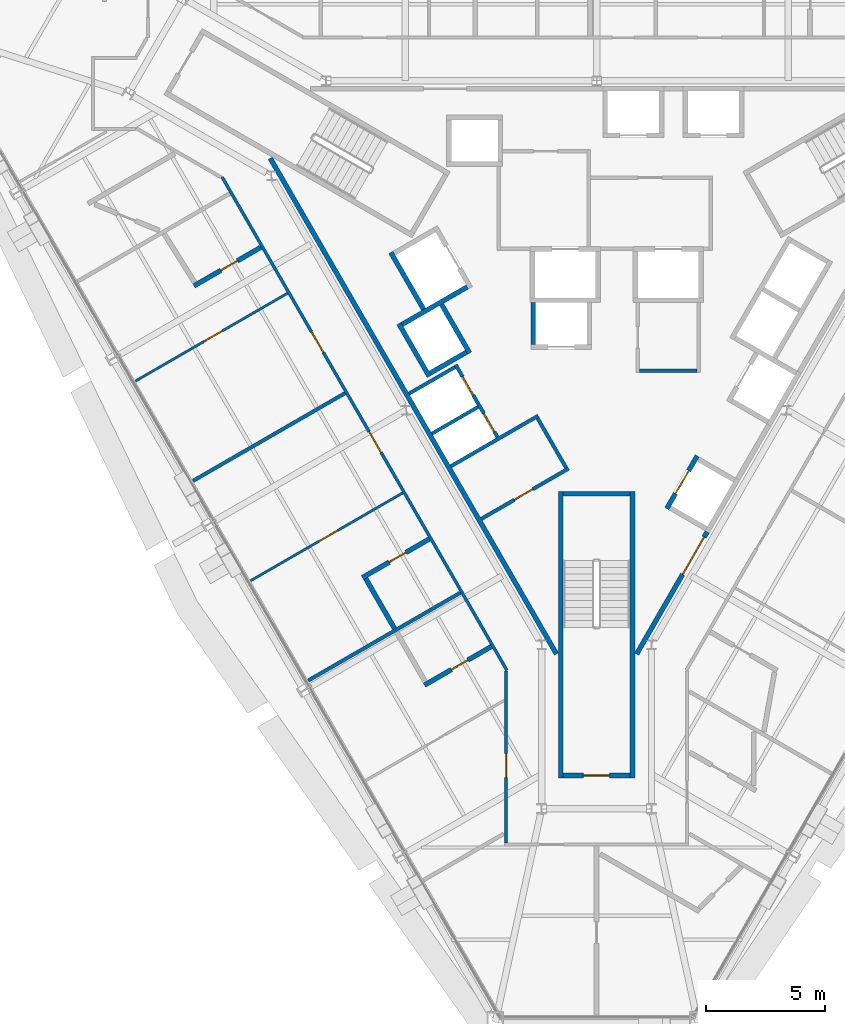
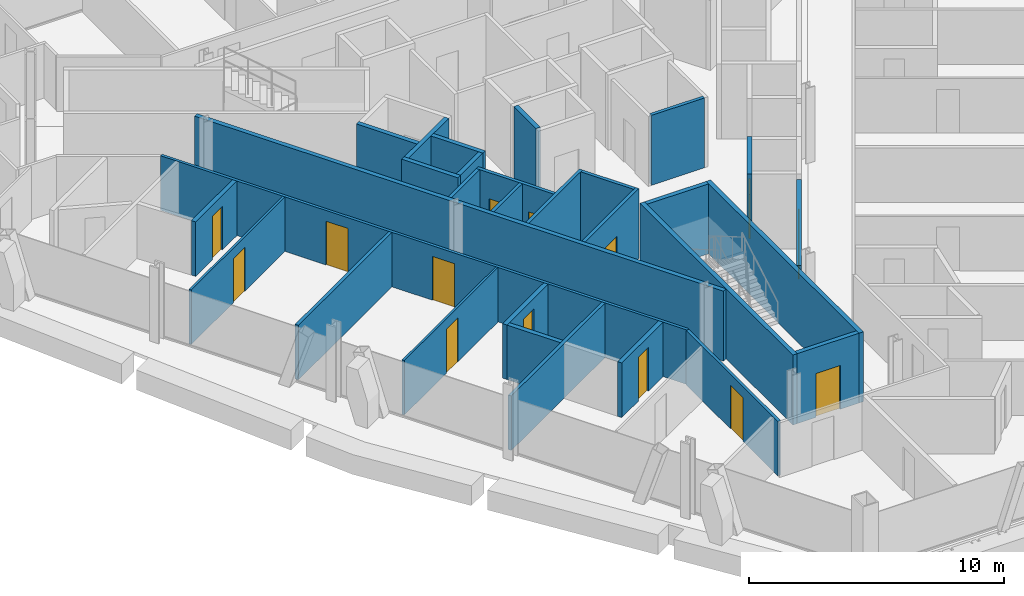
# One storey, part 10 of 16: 30 walls, 14 doors, 14 openings.
"""IFC4 building model written with IfcOpenShell, lengths in metres."""

from ifc_helpers import new_model, si_unit, direction, frame, frame_2d, origin, place, context, subcontext, project, spatial, rectangle, extrude, material, layer, layer_set, type_object, element, fill, save


model = new_model("IFC4")

# Units and contexts
model_context = context("Model", 3, precision=1e-05, world=origin(), true_north=direction((0.0, 1.0)))
body_context = subcontext(model_context, "Body", "Model", "MODEL_VIEW")
ifc_project = project(units=[si_unit("LENGTHUNIT", "METRE"), si_unit("AREAUNIT", "SQUARE_METRE"), si_unit("VOLUMEUNIT", "CUBIC_METRE"), si_unit("PLANEANGLEUNIT", "RADIAN"), si_unit("MASSUNIT", "GRAM", prefix="KILO")], contexts=[model_context])

# Site, building, storey
site_placement = place(None, origin())
site = spatial("IfcSite", under=ifc_project, at=site_placement, CompositionType="ELEMENT")
building_placement = place(site_placement, origin())
building = spatial("IfcBuilding", under=site, at=building_placement, Name="Verrane Prism Tower", CompositionType="ELEMENT")
storey_placement = place(building_placement, frame((0.0, 0.0, 110.800048828125)))
storey = spatial("IfcBuildingStorey", under=building, at=storey_placement, Name="L26", CompositionType="ELEMENT", Elevation=110.800048828125)

# Wall
ifc_material_1 = material(Name="Gypsum board partition", Category="other")
ifc_layer_1 = layer(ifc_material_1, 0.199951171875)
ifc_layer_set_1 = layer_set([ifc_layer_1], Name="CW-200 core boundary wall 2 h")
wall_type_1 = type_object("IfcWallType", Name="CW-200 core boundary wall 2 h", PredefinedType="PARTITIONING", material=ifc_layer_set_1)
wall_1_placement = place(storey_placement, frame((-13.66357421875, 5.946044921875, 0.0), z_axis=(0.0, 0.0, 1.0), x_axis=(0.499994327219, -0.866028678941, 0.0)))
element("IfcWall", 1, at=wall_1_placement, inside=storey, type_object=wall_type_1, Name="Core boundary wall CW3-001", PredefinedType="PARTITIONING", context=body_context, shape_type="SweptSolid", body=[
    extrude(rectangle(XDim=23.967529296875, YDim=0.199951171875, at=frame_2d((11.98388671875, 0.0))), origin(), (0.0, 0.0, 1.0), 3.349853515625),
])

# Wall, opening, door
wall_2_placement = place(storey_placement, frame((1.677490234375, -14.814697265625, 0.0), z_axis=(0.0, 0.0, 1.0), x_axis=(0.49999445743, 0.866028603765, 0.0)))
wall_2 = element("IfcWall", 2, at=wall_2_placement, inside=storey, type_object=wall_type_1, Name="Core boundary wall CW3-003", PredefinedType="PARTITIONING", context=body_context, shape_type="SweptSolid", body=[
    extrude(rectangle(XDim=5.90478515625, YDim=0.199951171875, at=frame_2d((2.952392578125, 0.0))), origin(), (0.0, 0.0, 1.0), 3.349853515625),
])
opening_1_placement = place(wall_2_placement, frame((3.85498046875, 0.0, 0.0)))
opening_1 = element("IfcOpeningElement", 3, at=opening_1_placement, cuts=wall_2, Name="Opening D24517", PredefinedType="OPENING", context=body_context, shape_type="SweptSolid", body=[
    extrude(rectangle(XDim=1.800048828125, YDim=2.10009765625, at=frame_2d((0.89990234375, 1.050048828125))), frame((0.0, 0.10986328125, 0.0), z_axis=(0.0, -1.0, 0.0), x_axis=(1.0, 0.0, 0.0)), (0.0, 0.0, 1.0), 0.219970703125),
])
ifc_material_2 = material(Name="Timber veneered door leaf", Category="wood")
door_type_1 = type_object("IfcDoorType", Name="DR-1800x2100 FD60 double leaf lift lobby", OperationType="NOTDEFINED", PredefinedType="DOOR", material=ifc_material_2)
door_1_placement = place(opening_1_placement, origin())
door_1 = element("IfcDoor", 4, at=door_1_placement, inside=storey, type_object=door_type_1, Name="Lift lobby door D24517", OperationType="DOUBLE_DOOR_SINGLE_SWING", OverallHeight=2.10009765625, OverallWidth=1.800048828125, PredefinedType="DOOR", context=body_context, shape_type="SweptSolid", body=[
    extrude(rectangle(XDim=1.800048828125, YDim=2.10009765625, at=frame_2d((0.89990234375, 1.050048828125))), frame((0.0, 0.02490234375, 0.0), z_axis=(0.0, -1.0, 0.0), x_axis=(1.0, 0.0, 0.0)), (0.0, 0.0, 1.0), 0.050048828125),
])
fill(opening_1, door_1)

ifc_material_3 = material(Name="Concrete C40/50", Category="concrete")
ifc_layer_2 = layer(ifc_material_3, 0.199951171875)
ifc_layer_set_2 = layer_set([ifc_layer_2], Name="CW-200 stair core wall concrete C40/50 3 h")
wall_type_2 = type_object("IfcWallType", Name="CW-200 stair core wall concrete C40/50 3 h", PredefinedType="PARTITIONING", material=ifc_layer_set_2)
wall_3_placement = place(storey_placement, frame((-1.39990234375, -19.89990234375, 0.0), z_axis=(0.0, 0.0, 1.0), x_axis=(1.0, 0.0, 0.0)))
wall_3 = element("IfcWall", 5, at=wall_3_placement, inside=storey, type_object=wall_type_2, Name="Stair 3 enclosure wall", PredefinedType="PARTITIONING", context=body_context, shape_type="SweptSolid", body=[
    extrude(rectangle(XDim=2.7998046875, YDim=0.199951171875, at=frame_2d((1.39990234375, 0.0))), origin(), (0.0, 0.0, 1.0), 3.349853515625),
])
opening_2_placement = place(wall_3_placement, frame((0.85009765625, 0.0, 0.0)))
opening_2 = element("IfcOpeningElement", 6, at=opening_2_placement, cuts=wall_3, Name="Opening D24502", PredefinedType="OPENING", context=body_context, shape_type="SweptSolid", body=[
    extrude(rectangle(XDim=1.10009765625, YDim=2.10009765625, at=frame_2d((0.550048828125, 1.050048828125))), frame((0.0, 0.10986328125, 0.0), z_axis=(0.0, -1.0, 0.0), x_axis=(1.0, 0.0, 0.0)), (0.0, 0.0, 1.0), 0.219970703125),
])
ifc_material_4 = material(Name="Timber veneered door leaf", Category="wood")
door_type_2 = type_object("IfcDoorType", Name="DR-1100x2100 FD90 single leaf stair", OperationType="NOTDEFINED", PredefinedType="DOOR", material=ifc_material_4)
door_2_placement = place(opening_2_placement, origin())
door_2 = element("IfcDoor", 7, at=door_2_placement, inside=storey, type_object=door_type_2, Name="Stair 3 door", OperationType="SINGLE_SWING_LEFT", OverallHeight=2.10009765625, OverallWidth=1.10009765625, PredefinedType="DOOR", context=body_context, shape_type="SweptSolid", body=[
    extrude(rectangle(XDim=1.10009765625, YDim=2.10009765625, at=frame_2d((0.550048828125, 1.050048828125))), frame((0.0, 0.02490234375, 0.0), z_axis=(0.0, -1.0, 0.0), x_axis=(1.0, 0.0, 0.0)), (0.0, 0.0, 1.0), 0.050048828125),
])
fill(opening_2, door_2)

# Walls
for number, where, z_axis, x_axis, name in (
    (8, (1.5, -8.0, 0.0), (0.0, 0.0, 1.0), (0.0, -1.0, 0.0), "Stair 3 enclosure wall"),
    (9, (-1.5, -8.0, 0.0), (0.0, 0.0, 1.0), (0.0, -1.0, 0.0), "Stair 3 enclosure wall"),
):
    element("IfcWall", number, at=place(storey_placement, frame(where, z_axis=z_axis, x_axis=x_axis)), inside=storey, type_object=wall_type_2, Name=name, PredefinedType="PARTITIONING", context=body_context, shape_type="SweptSolid", body=[
        extrude(rectangle(XDim=12.0, YDim=0.199951171875, at=frame_2d((6.0, 0.0))), origin(), (0.0, 0.0, 1.0), 3.349853515625),
    ])
wall_4_placement = place(storey_placement, frame((-1.39990234375, -8.10009765625, 0.0), z_axis=(0.0, 0.0, 1.0), x_axis=(1.0, 0.0, 0.0)))
element("IfcWall", 10, at=wall_4_placement, inside=storey, type_object=wall_type_2, Name="Stair 3 enclosure wall", PredefinedType="PARTITIONING", context=body_context, shape_type="SweptSolid", body=[
    extrude(rectangle(XDim=2.7998046875, YDim=0.199951171875, at=frame_2d((1.39990234375, 0.0))), origin(), (0.0, 0.0, 1.0), 3.349853515625),
])
ifc_material_5 = material(Name="Gypsum board shaft wall assembly", Category="other")
ifc_layer_3 = layer(ifc_material_5, 0.199951171875)
ifc_layer_set_3 = layer_set([ifc_layer_3], Name="HW-200 lift shaft wall 2 h")
wall_type_3 = type_object("IfcWallType", Name="HW-200 lift shaft wall 2 h", PredefinedType="PARTITIONING", material=ifc_layer_set_3)
wall_5_placement = place(storey_placement, frame((-6.9697265625, -3.048095703125, 0.0), z_axis=(0.0, 0.0, 1.0), x_axis=(0.866036909293, 0.499980071345, 0.0)))
element("IfcWall", 11, at=wall_5_placement, inside=storey, type_object=wall_type_3, Name="Lift shaft wall", PredefinedType="PARTITIONING", context=body_context, shape_type="SweptSolid", body=[
    extrude(rectangle(XDim=1.75, YDim=0.199951171875, at=frame_2d((0.875, 0.0))), origin(), (0.0, 0.0, 1.0), 3.599853515625),
])
wall_6_placement = place(storey_placement, frame((-8.14453125, -1.012939453125, 0.0), z_axis=(0.0, 0.0, 1.0), x_axis=(0.866016494683, 0.500015430699, 0.0)))
element("IfcWall", 12, at=wall_6_placement, inside=storey, type_object=wall_type_3, Name="Lift shaft wall", PredefinedType="PARTITIONING", context=body_context, shape_type="SweptSolid", body=[
    extrude(rectangle(XDim=3.14990234375, YDim=0.199951171875, at=frame_2d((1.574951171875, 0.0))), origin(), (0.0, 0.0, 1.0), 3.599853515625),
])

# Wall, opening, door
wall_7_placement = place(storey_placement, frame((2.941650390625, -8.724853515625, 0.0), z_axis=(0.0, 0.0, 1.0), x_axis=(0.500020783669, 0.866013403995, 0.0)))
wall_7 = element("IfcWall", 13, at=wall_7_placement, inside=storey, type_object=wall_type_3, Name="Lift shaft wall", PredefinedType="PARTITIONING", context=body_context, shape_type="SweptSolid", body=[
    extrude(rectangle(XDim=2.55029296875, YDim=0.199951171875, at=frame_2d((1.275146484375, 0.0))), origin(), (0.0, 0.0, 1.0), 3.599853515625),
])
opening_3_placement = place(wall_7_placement, frame((0.72509765625, 0.0, 0.0)))
opening_3 = element("IfcOpeningElement", 14, at=opening_3_placement, cuts=wall_7, Name="Opening D24506", PredefinedType="OPENING", context=body_context, shape_type="SweptSolid", body=[
    extrude(rectangle(XDim=1.10009765625, YDim=2.10009765625, at=frame_2d((0.550048828125, 1.050048828125))), frame((0.0, 0.10986328125, 0.0), z_axis=(0.0, -1.0, 0.0), x_axis=(1.0, 0.0, 0.0)), (0.0, 0.0, 1.0), 0.219970703125),
])
ifc_material_6 = material(Name="Stainless steel sliding landing door", Category="steel")
door_type_3 = type_object("IfcDoorType", Name="LD-1100x2100 lift landing door FD90 sliding", OperationType="NOTDEFINED", PredefinedType="DOOR", material=ifc_material_6)
door_3_placement = place(opening_3_placement, origin())
door_3 = element("IfcDoor", 15, at=door_3_placement, inside=storey, type_object=door_type_3, Name="Bank A lift 4 landing door", OperationType="SLIDING_TO_RIGHT", OverallHeight=2.10009765625, OverallWidth=1.10009765625, PredefinedType="DOOR", context=body_context, shape_type="SweptSolid", body=[
    extrude(rectangle(XDim=1.10009765625, YDim=2.10009765625, at=frame_2d((0.550048828125, 1.050048828125))), frame((0.0, 0.02490234375, 0.0), z_axis=(0.0, -1.0, 0.0), x_axis=(1.0, 0.0, 0.0)), (0.0, 0.0, 1.0), 0.050048828125),
])
fill(opening_3, door_3)

# Walls
wall_8_placement = place(storey_placement, frame((-2.655029296875, -1.85009765625, 0.0), z_axis=(0.0, 0.0, 1.0), x_axis=(0.0, 1.0, 0.0)))
element("IfcWall", 16, at=wall_8_placement, inside=storey, type_object=wall_type_3, Name="Lift shaft wall", PredefinedType="PARTITIONING", context=body_context, shape_type="SweptSolid", body=[
    extrude(rectangle(XDim=1.75, YDim=0.199951171875, at=frame_2d((0.875, 0.0))), origin(), (0.0, 0.0, 1.0), 3.599853515625),
])
wall_9_placement = place(storey_placement, frame((-5.317626953125, -2.209716796875, 0.0), z_axis=(0.0, 0.0, 1.0), x_axis=(-0.499938297808, 0.866061024631, 0.0)))
element("IfcWall", 17, at=wall_9_placement, inside=storey, type_object=wall_type_3, Name="Lift shaft wall", PredefinedType="PARTITIONING", context=body_context, shape_type="SweptSolid", body=[
    extrude(rectangle(XDim=2.349853515625, YDim=0.199951171875, at=frame_2d((1.1748046875, 0.0))), origin(), (0.0, 0.0, 1.0), 3.599853515625),
])
wall_10_placement = place(storey_placement, frame((-7.241943359375, -0.37646484375, 0.0), z_axis=(0.0, 0.0, 1.0), x_axis=(-0.499996545922, 0.866027397988, 0.0)))
element("IfcWall", 18, at=wall_10_placement, inside=storey, type_object=wall_type_3, Name="Lift shaft wall", PredefinedType="PARTITIONING", context=body_context, shape_type="SweptSolid", body=[
    extrude(rectangle(XDim=2.75, YDim=0.199951171875, at=frame_2d((1.375, 0.0))), origin(), (0.0, 0.0, 1.0), 3.599853515625),
])
wall_11_placement = place(storey_placement, frame((-7.00634765625, -3.184814453125, 0.0), z_axis=(0.0, 0.0, 1.0), x_axis=(-0.499990435942, 0.866030925526, 0.0)))
element("IfcWall", 19, at=wall_11_placement, inside=storey, type_object=wall_type_3, Name="Lift shaft wall", PredefinedType="PARTITIONING", context=body_context, shape_type="SweptSolid", body=[
    extrude(rectangle(XDim=2.5498046875, YDim=0.199951171875, at=frame_2d((1.27490234375, 0.0))), origin(), (0.0, 0.0, 1.0), 3.599853515625),
])

# Wall, opening, door
ifc_material_7 = material(Name="Gypsum board partition", Category="other")
ifc_layer_4 = layer(ifc_material_7, 0.10009765625)
ifc_layer_set_4 = layer_set([ifc_layer_4], Name="PW-100 room partition")
wall_type_4 = type_object("IfcWallType", Name="PW-100 room partition", PredefinedType="PARTITIONING", material=ifc_layer_set_4)
wall_12_placement = place(storey_placement, frame((-19.311279296875, -3.3818359375, 0.0), z_axis=(0.0, 0.0, 1.0), x_axis=(0.865995225926, 0.500052265941, 0.0)))
wall_12 = element("IfcWall", 20, at=wall_12_placement, inside=storey, type_object=wall_type_4, Name="Room partition 012", PredefinedType="PARTITIONING", context=body_context, shape_type="SweptSolid", body=[
    extrude(rectangle(XDim=7.347412109375, YDim=0.10009765625, at=frame_2d((3.673828125, 0.0))), origin(), (0.0, 0.0, 1.0), 2.613037109375),
])
opening_4_placement = place(wall_12_placement, frame((3.303466796875, 0.0, 0.0)))
opening_4 = element("IfcOpeningElement", 21, at=opening_4_placement, cuts=wall_12, Name="Opening D24032", PredefinedType="OPENING", context=body_context, shape_type="SweptSolid", body=[
    extrude(rectangle(XDim=0.89990234375, YDim=2.10009765625, at=frame_2d((0.449951171875, 1.050048828125))), frame((0.0, 0.06005859375, 0.0), z_axis=(0.0, -1.0, 0.0), x_axis=(1.0, 0.0, 0.0)), (0.0, 0.0, 1.0), 0.1201171875),
])
ifc_material_8 = material(Name="Timber veneered door leaf", Category="wood")
door_type_4 = type_object("IfcDoorType", Name="DR-900x2100 single leaf inner", OperationType="NOTDEFINED", PredefinedType="DOOR", material=ifc_material_8)
door_4_placement = place(opening_4_placement, origin())
door_4 = element("IfcDoor", 22, at=door_4_placement, inside=storey, type_object=door_type_4, Name="Suite Living Room door", OperationType="SINGLE_SWING_RIGHT", OverallHeight=2.10009765625, OverallWidth=0.89990234375, PredefinedType="DOOR", context=body_context, shape_type="SweptSolid", body=[
    extrude(rectangle(XDim=0.89990234375, YDim=2.10009765625, at=frame_2d((0.449951171875, 1.050048828125))), frame((0.0, 0.02490234375, 0.0), z_axis=(0.0, -1.0, 0.0), x_axis=(1.0, 0.0, 0.0)), (0.0, 0.0, 1.0), 0.050048828125),
])
fill(opening_4, door_4)

wall_13_placement = place(storey_placement, frame((-8.1171875, -8.066162109375, 0.0), z_axis=(0.0, 0.0, 1.0), x_axis=(-0.866052324842, -0.499953368461, 0.0)))
wall_13 = element("IfcWall", 23, at=wall_13_placement, inside=storey, type_object=wall_type_4, Name="Room partition 024", PredefinedType="PARTITIONING", context=body_context, shape_type="SweptSolid", body=[
    extrude(rectangle(XDim=7.352294921875, YDim=0.10009765625, at=frame_2d((3.67626953125, 0.0))), origin(), (0.0, 0.0, 1.0), 2.613037109375),
])
opening_5_placement = place(wall_13_placement, frame((3.1484375, 0.0, 0.0)))
opening_5 = element("IfcOpeningElement", 24, at=opening_5_placement, cuts=wall_13, Name="Opening D24035", PredefinedType="OPENING", context=body_context, shape_type="SweptSolid", body=[
    extrude(rectangle(XDim=0.89990234375, YDim=2.10009765625, at=frame_2d((0.449951171875, 1.050048828125))), frame((0.0, 0.06005859375, 0.0), z_axis=(0.0, -1.0, 0.0), x_axis=(1.0, 0.0, 0.0)), (0.0, 0.0, 1.0), 0.1201171875),
])
door_5_placement = place(opening_5_placement, origin())
door_5 = element("IfcDoor", 25, at=door_5_placement, inside=storey, type_object=door_type_4, Name="Suite Living Room door", OperationType="SINGLE_SWING_RIGHT", OverallHeight=2.10009765625, OverallWidth=0.89990234375, PredefinedType="DOOR", context=body_context, shape_type="SweptSolid", body=[
    extrude(rectangle(XDim=0.89990234375, YDim=2.10009765625, at=frame_2d((0.449951171875, 1.050048828125))), frame((0.0, 0.02490234375, 0.0), z_axis=(0.0, -1.0, 0.0), x_axis=(1.0, 0.0, 0.0)), (0.0, 0.0, 1.0), 0.050048828125),
])
fill(opening_5, door_5)

# Wall, openings, doors
ifc_material_9 = material(Name="Gypsum board partition", Category="other")
ifc_layer_5 = layer(ifc_material_9, 0.125)
ifc_layer_set_5 = layer_set([ifc_layer_5], Name="PW-125 corridor wall 1 h")
wall_type_5 = type_object("IfcWallType", Name="PW-125 corridor wall 1 h", PredefinedType="PARTITIONING", material=ifc_layer_set_5)
wall_14_placement = place(storey_placement, frame((-3.755859375, -15.494140625, 0.0), z_axis=(0.0, 0.0, 1.0), x_axis=(-0.500027787016, 0.866009360349, 0.0)))
wall_14 = element("IfcWall", 26, at=wall_14_placement, inside=storey, type_object=wall_type_5, Name="Corridor wall 023", PredefinedType="PARTITIONING", context=body_context, shape_type="SweptSolid", body=[
    extrude(rectangle(XDim=23.855712890625, YDim=0.125, at=frame_2d((11.927734375, 0.0))), origin(), (0.0, 0.0, 1.0), 2.613037109375),
])
opening_6_placement = place(wall_14_placement, frame((15.3681640625, 0.0, 0.0)))
opening_6 = element("IfcOpeningElement", 27, at=opening_6_placement, cuts=wall_14, Name="Opening D24031", PredefinedType="OPENING", context=body_context, shape_type="SweptSolid", body=[
    extrude(rectangle(XDim=1.0, YDim=2.10009765625, at=frame_2d((0.5, 1.050048828125))), frame((0.0, 0.072509765625, 0.0), z_axis=(0.0, -1.0, 0.0), x_axis=(1.0, 0.0, 0.0)), (0.0, 0.0, 1.0), 0.14501953125),
])
opening_7_placement = place(wall_14_placement, frame((10.540283203125, 0.0, 0.0)))
opening_7 = element("IfcOpeningElement", 28, at=opening_7_placement, cuts=wall_14, Name="Opening D24034", PredefinedType="OPENING", context=body_context, shape_type="SweptSolid", body=[
    extrude(rectangle(XDim=1.0, YDim=2.10009765625, at=frame_2d((0.5, 1.050048828125))), frame((0.0, 0.072509765625, 0.0), z_axis=(0.0, -1.0, 0.0), x_axis=(1.0, 0.0, 0.0)), (0.0, 0.0, 1.0), 0.14501953125),
])
ifc_material_10 = material(Name="Timber veneered door leaf", Category="wood")
door_type_5 = type_object("IfcDoorType", Name="DR-1000x2100 FD20 single leaf unit", OperationType="NOTDEFINED", PredefinedType="DOOR", material=ifc_material_10)
door_6_placement = place(opening_6_placement, origin())
door_6 = element("IfcDoor", 29, at=door_6_placement, inside=storey, type_object=door_type_5, Name="Suite Living Room door", OperationType="SINGLE_SWING_RIGHT", OverallHeight=2.10009765625, OverallWidth=1.0, PredefinedType="DOOR", context=body_context, shape_type="SweptSolid", body=[
    extrude(rectangle(XDim=1.0, YDim=2.10009765625, at=frame_2d((0.5, 1.050048828125))), frame((0.0, 0.02490234375, 0.0), z_axis=(0.0, -1.0, 0.0), x_axis=(1.0, 0.0, 0.0)), (0.0, 0.0, 1.0), 0.050048828125),
])
fill(opening_6, door_6)
door_7_placement = place(opening_7_placement, origin())
door_7 = element("IfcDoor", 30, at=door_7_placement, inside=storey, type_object=door_type_5, Name="Suite Living Room door", OperationType="SINGLE_SWING_LEFT", OverallHeight=2.10009765625, OverallWidth=1.0, PredefinedType="DOOR", context=body_context, shape_type="SweptSolid", body=[
    extrude(rectangle(XDim=1.0, YDim=2.10009765625, at=frame_2d((0.5, 1.050048828125))), frame((0.0, 0.02490234375, 0.0), z_axis=(0.0, -1.0, 0.0), x_axis=(1.0, 0.0, 0.0)), (0.0, 0.0, 1.0), 0.050048828125),
])
fill(opening_7, door_7)

# Wall, opening, door
wall_15_placement = place(storey_placement, frame((-3.787109375, -22.721923828125, 0.0), z_axis=(0.0, 0.0, 1.0), x_axis=(0.0, 1.0, 0.0)))
wall_15 = element("IfcWall", 31, at=wall_15_placement, inside=storey, type_object=wall_type_5, Name="Corridor wall 037", PredefinedType="PARTITIONING", context=body_context, shape_type="SweptSolid", body=[
    extrude(rectangle(XDim=7.197021484375, YDim=0.125, at=frame_2d((3.5986328125, 0.0))), origin(), (0.0, 0.0, 1.0), 2.613037109375),
])
opening_8_placement = place(wall_15_placement, frame((2.735107421875, 0.0, 0.0)))
opening_8 = element("IfcOpeningElement", 32, at=opening_8_placement, cuts=wall_15, Name="Opening D24037", PredefinedType="OPENING", context=body_context, shape_type="SweptSolid", body=[
    extrude(rectangle(XDim=1.0, YDim=2.10009765625, at=frame_2d((0.5, 1.050048828125))), frame((0.0, 0.072509765625, 0.0), z_axis=(0.0, -1.0, 0.0), x_axis=(1.0, 0.0, 0.0)), (0.0, 0.0, 1.0), 0.14501953125),
])
door_8_placement = place(opening_8_placement, origin())
door_8 = element("IfcDoor", 33, at=door_8_placement, inside=storey, type_object=door_type_5, Name="Suite Living Room door", OperationType="SINGLE_SWING_LEFT", OverallHeight=2.10009765625, OverallWidth=1.0, PredefinedType="DOOR", context=body_context, shape_type="SweptSolid", body=[
    extrude(rectangle(XDim=1.0, YDim=2.10009765625, at=frame_2d((0.5, 1.050048828125))), frame((0.0, 0.02490234375, 0.0), z_axis=(0.0, -1.0, 0.0), x_axis=(1.0, 0.0, 0.0)), (0.0, 0.0, 1.0), 0.050048828125),
])
fill(opening_8, door_8)

# Walls
ifc_material_11 = material(Name="Gypsum board partition", Category="other")
ifc_layer_6 = layer(ifc_material_11, 0.14990234375)
ifc_layer_set_6 = layer_set([ifc_layer_6], Name="PW-150 demising wall 1 h")
wall_type_6 = type_object("IfcWallType", Name="PW-150 demising wall 1 h", PredefinedType="PARTITIONING", material=ifc_layer_set_6)
wall_16_placement = place(storey_placement, frame((-16.897705078125, -7.56201171875, 0.0), z_axis=(0.0, 0.0, 1.0), x_axis=(0.866055004685, 0.499948726231, 0.0)))
element("IfcWall", 34, at=wall_16_placement, inside=storey, type_object=wall_type_6, Name="Demising wall 018", PredefinedType="PARTITIONING", context=body_context, shape_type="SweptSolid", body=[
    extrude(rectangle(XDim=7.347412109375, YDim=0.14990234375, at=frame_2d((3.673828125, 0.0))), origin(), (0.0, 0.0, 1.0), 2.613037109375),
])
wall_17_placement = place(storey_placement, frame((-12.071044921875, -15.922119140625, 0.0), z_axis=(0.0, 0.0, 1.0), x_axis=(0.866063309627, 0.499934339407, 0.0)))
element("IfcWall", 35, at=wall_17_placement, inside=storey, type_object=wall_type_6, Name="Demising wall 026", PredefinedType="PARTITIONING", context=body_context, shape_type="SweptSolid", body=[
    extrude(rectangle(XDim=7.34765625, YDim=0.14990234375, at=frame_2d((3.673828125, 0.0))), origin(), (0.0, 0.0, 1.0), 2.613037109375),
])

# Wall, opening, door
ifc_material_12 = material(Name="Gypsum board partition", Category="other")
ifc_layer_7 = layer(ifc_material_12, 0.199951171875)
ifc_layer_set_7 = layer_set([ifc_layer_7], Name="PW-200 plumbing wall")
wall_type_7 = type_object("IfcWallType", Name="PW-200 plumbing wall", PredefinedType="PARTITIONING", material=ifc_layer_set_7)
wall_18_placement = place(storey_placement, frame((-16.860595703125, 0.60400390625, 0.0), z_axis=(0.0, 0.0, 1.0), x_axis=(0.866003189247, 0.500038474733, 0.0)))
wall_18 = element("IfcWall", 36, at=wall_18_placement, inside=storey, type_object=wall_type_7, Name="Plumbing wall 019", PredefinedType="PARTITIONING", context=body_context, shape_type="SweptSolid", body=[
    extrude(rectangle(XDim=3.232177734375, YDim=0.199951171875, at=frame_2d((1.6162109375, 0.0))), origin(), (0.0, 0.0, 1.0), 2.613037109375),
])
opening_9_placement = place(wall_18_placement, frame((1.300048828125, 0.0, 0.0)))
opening_9 = element("IfcOpeningElement", 37, at=opening_9_placement, cuts=wall_18, Name="Opening D24033", PredefinedType="OPENING", context=body_context, shape_type="SweptSolid", body=[
    extrude(rectangle(XDim=0.800048828125, YDim=2.10009765625, at=frame_2d((0.39990234375, 1.050048828125))), frame((0.0, 0.10986328125, 0.0), z_axis=(0.0, -1.0, 0.0), x_axis=(1.0, 0.0, 0.0)), (0.0, 0.0, 1.0), 0.219970703125),
])
ifc_material_13 = material(Name="Timber veneered door leaf", Category="wood")
door_type_6 = type_object("IfcDoorType", Name="DR-800x2100 single leaf bath", OperationType="NOTDEFINED", PredefinedType="DOOR", material=ifc_material_13)
door_9_placement = place(opening_9_placement, origin())
door_9 = element("IfcDoor", 38, at=door_9_placement, inside=storey, type_object=door_type_6, Name="En-Suite door", OperationType="SINGLE_SWING_LEFT", OverallHeight=2.10009765625, OverallWidth=0.800048828125, PredefinedType="DOOR", context=body_context, shape_type="SweptSolid", body=[
    extrude(rectangle(XDim=0.800048828125, YDim=2.10009765625, at=frame_2d((0.39990234375, 1.050048828125))), frame((0.0, 0.02490234375, 0.0), z_axis=(0.0, -1.0, 0.0), x_axis=(1.0, 0.0, 0.0)), (0.0, 0.0, 1.0), 0.050048828125),
])
fill(opening_9, door_9)

# Wall
wall_19_placement = place(storey_placement, frame((-9.6708984375, -11.649658203125, 0.0), z_axis=(0.0, 0.0, 1.0), x_axis=(0.50002218001, -0.866012597771, 0.0)))
element("IfcWall", 39, at=wall_19_placement, inside=storey, type_object=wall_type_7, Name="Plumbing wall 028", PredefinedType="PARTITIONING", context=body_context, shape_type="SweptSolid", body=[
    extrude(rectangle(XDim=2.4208984375, YDim=0.199951171875, at=frame_2d((1.21044921875, 0.0))), origin(), (0.0, 0.0, 1.0), 2.613037109375),
])

# Wall, opening, door
wall_20_placement = place(storey_placement, frame((-7.007568359375, -9.996826171875, 0.0), z_axis=(0.0, 0.0, 1.0), x_axis=(-0.866078705744, -0.499907666931, 0.0)))
wall_20 = element("IfcWall", 40, at=wall_20_placement, inside=storey, type_object=wall_type_7, Name="Plumbing wall 029", PredefinedType="PARTITIONING", context=body_context, shape_type="SweptSolid", body=[
    extrude(rectangle(XDim=3.23291015625, YDim=0.199951171875, at=frame_2d((1.616455078125, 0.0))), origin(), (0.0, 0.0, 1.0), 2.613037109375),
])
opening_10_placement = place(wall_20_placement, frame((1.133056640625, 0.0, 0.0)))
opening_10 = element("IfcOpeningElement", 41, at=opening_10_placement, cuts=wall_20, Name="Opening D24036", PredefinedType="OPENING", context=body_context, shape_type="SweptSolid", body=[
    extrude(rectangle(XDim=0.800048828125, YDim=2.10009765625, at=frame_2d((0.39990234375, 1.050048828125))), frame((0.0, 0.10986328125, 0.0), z_axis=(0.0, -1.0, 0.0), x_axis=(1.0, 0.0, 0.0)), (0.0, 0.0, 1.0), 0.219970703125),
])
door_10_placement = place(opening_10_placement, origin())
door_10 = element("IfcDoor", 42, at=door_10_placement, inside=storey, type_object=door_type_6, Name="En-Suite door", OperationType="SINGLE_SWING_LEFT", OverallHeight=2.10009765625, OverallWidth=0.800048828125, PredefinedType="DOOR", context=body_context, shape_type="SweptSolid", body=[
    extrude(rectangle(XDim=0.800048828125, YDim=2.10009765625, at=frame_2d((0.39990234375, 1.050048828125))), frame((0.0, 0.02490234375, 0.0), z_axis=(0.0, -1.0, 0.0), x_axis=(1.0, 0.0, 0.0)), (0.0, 0.0, 1.0), 0.050048828125),
])
fill(opening_10, door_10)

wall_21_placement = place(storey_placement, frame((-7.20751953125, -16.116943359375, 0.0), z_axis=(0.0, 0.0, 1.0), x_axis=(0.866091428368, 0.499885624626, 0.0)))
wall_21 = element("IfcWall", 43, at=wall_21_placement, inside=storey, type_object=wall_type_7, Name="Plumbing wall 033", PredefinedType="PARTITIONING", context=body_context, shape_type="SweptSolid", body=[
    extrude(rectangle(XDim=3.238037109375, YDim=0.199951171875, at=frame_2d((1.619140625, 0.0))), origin(), (0.0, 0.0, 1.0), 2.613037109375),
])
opening_11_placement = place(wall_21_placement, frame((1.300048828125, 0.0, 0.0)))
opening_11 = element("IfcOpeningElement", 44, at=opening_11_placement, cuts=wall_21, Name="Opening D24039", PredefinedType="OPENING", context=body_context, shape_type="SweptSolid", body=[
    extrude(rectangle(XDim=0.800048828125, YDim=2.10009765625, at=frame_2d((0.39990234375, 1.050048828125))), frame((0.0, 0.10986328125, 0.0), z_axis=(0.0, -1.0, 0.0), x_axis=(1.0, 0.0, 0.0)), (0.0, 0.0, 1.0), 0.219970703125),
])
door_11_placement = place(opening_11_placement, origin())
door_11 = element("IfcDoor", 45, at=door_11_placement, inside=storey, type_object=door_type_6, Name="En-Suite door", OperationType="SINGLE_SWING_LEFT", OverallHeight=2.10009765625, OverallWidth=0.800048828125, PredefinedType="DOOR", context=body_context, shape_type="SweptSolid", body=[
    extrude(rectangle(XDim=0.800048828125, YDim=2.10009765625, at=frame_2d((0.39990234375, 1.050048828125))), frame((0.0, 0.02490234375, 0.0), z_axis=(0.0, -1.0, 0.0), x_axis=(1.0, 0.0, 0.0)), (0.0, 0.0, 1.0), 0.050048828125),
])
fill(opening_11, door_11)

# Walls
ifc_material_14 = material(Name="Gypsum board partition", Category="other")
ifc_layer_8 = layer(ifc_material_14, 0.14990234375)
ifc_layer_set_8 = layer_set([ifc_layer_8], Name="RS-150 riser enclosure wall 1 h")
wall_type_8 = type_object("IfcWallType", Name="RS-150 riser enclosure wall 1 h", PredefinedType="PARTITIONING", material=ifc_layer_set_8)
wall_22_placement = place(storey_placement, frame((-7.8564453125, -3.912109375, 0.0), z_axis=(0.0, 0.0, 1.0), x_axis=(0.865971748, 0.500092923031, 0.0)))
element("IfcWall", 46, at=wall_22_placement, inside=storey, type_object=wall_type_8, Name="Riser wall RS3-001", PredefinedType="PARTITIONING", context=body_context, shape_type="SweptSolid", body=[
    extrude(rectangle(XDim=2.224609375, YDim=0.14990234375, at=frame_2d((1.1123046875, 0.0))), origin(), (0.0, 0.0, 1.0), 3.349853515625),
])
wall_23_placement = place(storey_placement, frame((-6.892333984375, -5.58203125, 0.0), z_axis=(0.0, 0.0, 1.0), x_axis=(0.865944298464, 0.500140452231, 0.0)))
element("IfcWall", 47, at=wall_23_placement, inside=storey, type_object=wall_type_8, Name="Riser wall RS3-002", PredefinedType="PARTITIONING", context=body_context, shape_type="SweptSolid", body=[
    extrude(rectangle(XDim=2.224365234375, YDim=0.14990234375, at=frame_2d((1.1123046875, 0.0))), origin(), (0.0, 0.0, 1.0), 3.349853515625),
])
wall_24_placement = place(storey_placement, frame((-6.10009765625, -6.945556640625, 0.0), z_axis=(0.0, 0.0, 1.0), x_axis=(0.866038200431, 0.499977834903, 0.0)))
element("IfcWall", 48, at=wall_24_placement, inside=storey, type_object=wall_type_8, Name="Riser wall RS3-003", PredefinedType="PARTITIONING", context=body_context, shape_type="SweptSolid", body=[
    extrude(rectangle(XDim=4.220458984375, YDim=0.14990234375, at=frame_2d((2.1103515625, 0.0))), origin(), (0.0, 0.0, 1.0), 3.349853515625),
])

# Wall, openings, doors
wall_25_placement = place(storey_placement, frame((-4.152099609375, -5.728759765625, 0.0), z_axis=(0.0, 0.0, 1.0), x_axis=(-0.500024287448, 0.866011380966, 0.0)))
wall_25 = element("IfcWall", 49, at=wall_25_placement, inside=storey, type_object=wall_type_8, Name="Riser wall RS3-004", PredefinedType="PARTITIONING", context=body_context, shape_type="SweptSolid", body=[
    extrude(rectangle(XDim=3.500732421875, YDim=0.14990234375, at=frame_2d((1.75048828125, 0.0))), origin(), (0.0, 0.0, 1.0), 3.349853515625),
])
opening_12_placement = place(wall_25_placement, frame((2.025634765625, 0.0, 0.0)))
opening_12 = element("IfcOpeningElement", 50, at=opening_12_placement, cuts=wall_25, Name="Opening D24512", PredefinedType="OPENING", context=body_context, shape_type="SweptSolid", body=[
    extrude(rectangle(XDim=0.89990234375, YDim=2.10009765625, at=frame_2d((0.449951171875, 1.050048828125))), frame((0.0, 0.0849609375, 0.0), z_axis=(0.0, -1.0, 0.0), x_axis=(1.0, 0.0, 0.0)), (0.0, 0.0, 1.0), 0.169921875),
])
opening_13_placement = place(wall_25_placement, frame((0.247802734375, 0.0, 0.0)))
opening_13 = element("IfcOpeningElement", 51, at=opening_13_placement, cuts=wall_25, Name="Opening D24513", PredefinedType="OPENING", context=body_context, shape_type="SweptSolid", body=[
    extrude(rectangle(XDim=0.89990234375, YDim=2.10009765625, at=frame_2d((0.449951171875, 1.050048828125))), frame((0.0, 0.0849609375, 0.0), z_axis=(0.0, -1.0, 0.0), x_axis=(1.0, 0.0, 0.0)), (0.0, 0.0, 1.0), 0.169921875),
])
ifc_material_15 = material(Name="Timber veneered door leaf", Category="wood")
door_type_7 = type_object("IfcDoorType", Name="DR-900x2100 FD60 single leaf riser", OperationType="NOTDEFINED", PredefinedType="DOOR", material=ifc_material_15)
door_12_placement = place(opening_12_placement, origin())
door_12 = element("IfcDoor", 52, at=door_12_placement, inside=storey, type_object=door_type_7, Name="Riser door D24512", OperationType="SINGLE_SWING_RIGHT", OverallHeight=2.10009765625, OverallWidth=0.89990234375, PredefinedType="DOOR", context=body_context, shape_type="SweptSolid", body=[
    extrude(rectangle(XDim=0.89990234375, YDim=2.10009765625, at=frame_2d((0.449951171875, 1.050048828125))), frame((0.0, 0.02490234375, 0.0), z_axis=(0.0, -1.0, 0.0), x_axis=(1.0, 0.0, 0.0)), (0.0, 0.0, 1.0), 0.050048828125),
])
fill(opening_12, door_12)
door_13_placement = place(opening_13_placement, origin())
door_13 = element("IfcDoor", 53, at=door_13_placement, inside=storey, type_object=door_type_7, Name="Riser door D24513", OperationType="SINGLE_SWING_LEFT", OverallHeight=2.10009765625, OverallWidth=0.89990234375, PredefinedType="DOOR", context=body_context, shape_type="SweptSolid", body=[
    extrude(rectangle(XDim=0.89990234375, YDim=2.10009765625, at=frame_2d((0.449951171875, 1.050048828125))), frame((0.0, 0.02490234375, 0.0), z_axis=(0.0, -1.0, 0.0), x_axis=(1.0, 0.0, 0.0)), (0.0, 0.0, 1.0), 0.050048828125),
])
fill(opening_13, door_13)

# Wall, opening, door
wall_26_placement = place(storey_placement, frame((-4.824951171875, -9.153564453125, 0.0), z_axis=(0.0, 0.0, 1.0), x_axis=(0.866023738697, 0.500002884005, 0.0)))
wall_26 = element("IfcWall", 54, at=wall_26_placement, inside=storey, type_object=wall_type_8, Name="Riser wall RS3-005", PredefinedType="PARTITIONING", context=body_context, shape_type="SweptSolid", body=[
    extrude(rectangle(XDim=4.22021484375, YDim=0.14990234375, at=frame_2d((2.110107421875, 0.0))), origin(), (0.0, 0.0, 1.0), 3.349853515625),
])
opening_14_placement = place(wall_26_placement, frame((1.594970703125, 0.0, 0.0)))
opening_14 = element("IfcOpeningElement", 55, at=opening_14_placement, cuts=wall_26, Name="Opening D24514", PredefinedType="OPENING", context=body_context, shape_type="SweptSolid", body=[
    extrude(rectangle(XDim=0.89990234375, YDim=2.10009765625, at=frame_2d((0.449951171875, 1.050048828125))), frame((0.0, 0.0849609375, 0.0), z_axis=(0.0, -1.0, 0.0), x_axis=(1.0, 0.0, 0.0)), (0.0, 0.0, 1.0), 0.169921875),
])
ifc_material_16 = material(Name="Timber veneered door leaf", Category="wood")
door_type_8 = type_object("IfcDoorType", Name="DR-900x2100 FD20 single leaf store", OperationType="NOTDEFINED", PredefinedType="DOOR", material=ifc_material_16)
door_14_placement = place(opening_14_placement, origin())
door_14 = element("IfcDoor", 56, at=door_14_placement, inside=storey, type_object=door_type_8, Name="Room door D24514", OperationType="SINGLE_SWING_LEFT", OverallHeight=2.10009765625, OverallWidth=0.89990234375, PredefinedType="DOOR", context=body_context, shape_type="SweptSolid", body=[
    extrude(rectangle(XDim=0.89990234375, YDim=2.10009765625, at=frame_2d((0.449951171875, 1.050048828125))), frame((0.0, 0.02490234375, 0.0), z_axis=(0.0, -1.0, 0.0), x_axis=(1.0, 0.0, 0.0)), (0.0, 0.0, 1.0), 0.050048828125),
])
fill(opening_14, door_14)

# Walls
wall_27_placement = place(storey_placement, frame((-2.472412109375, -4.93798828125, 0.0), z_axis=(0.0, 0.0, 1.0), x_axis=(0.500045362686, -0.865999212041, 0.0)))
element("IfcWall", 57, at=wall_27_placement, inside=storey, type_object=wall_type_8, Name="Riser wall RS3-006", PredefinedType="PARTITIONING", context=body_context, shape_type="SweptSolid", body=[
    extrude(rectangle(XDim=2.399658203125, YDim=0.14990234375, at=frame_2d((1.19970703125, 0.0))), origin(), (0.0, 0.0, 1.0), 3.349853515625),
])
wall_28_placement = place(storey_placement, frame((1.800048828125, -2.949951171875, 0.0), z_axis=(0.0, 0.0, 1.0), x_axis=(1.0, 0.0, 0.0)))
element("IfcWall", 58, at=wall_28_placement, inside=storey, type_object=wall_type_8, Name="Riser wall RS3-008", PredefinedType="PARTITIONING", context=body_context, shape_type="SweptSolid", body=[
    extrude(rectangle(XDim=2.39990234375, YDim=0.14990234375, at=frame_2d((1.199951171875, 0.0))), origin(), (0.0, 0.0, 1.0), 3.349853515625),
])

save(model, "model.ifc")
